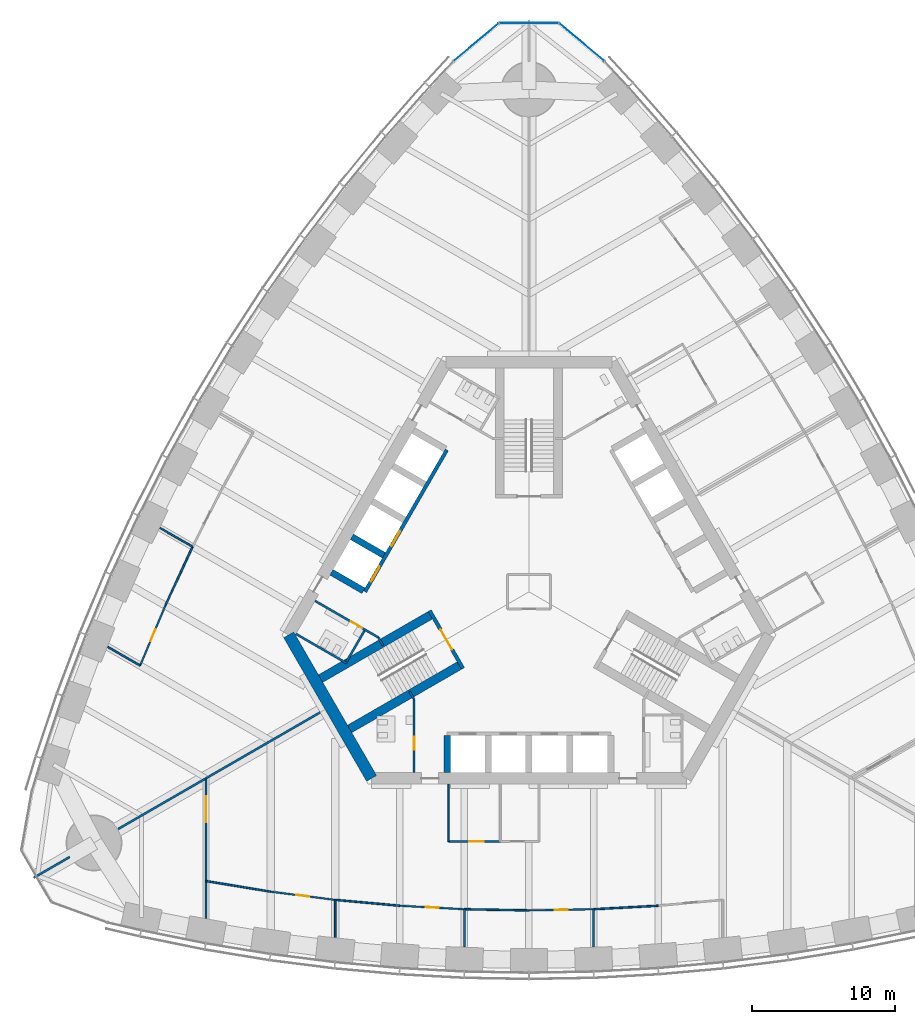
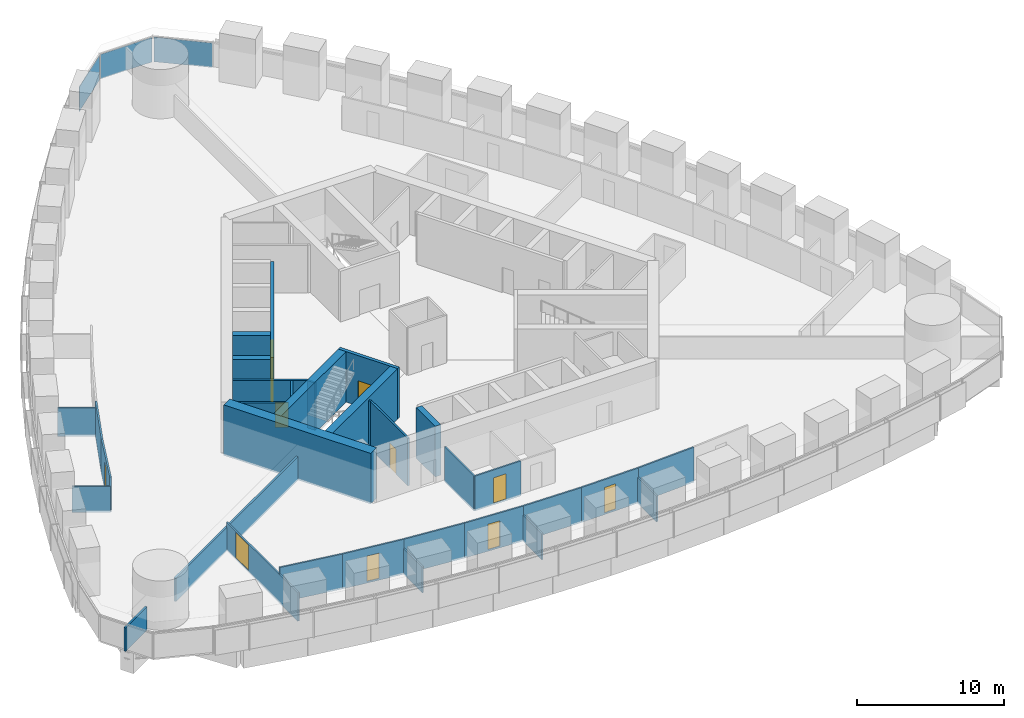
# One storey, part 10 of 18: 33 walls, 11 doors, 3 plates, 11 openings, 1 element without a shape of its own.
"""IFC4 building model written with IfcOpenShell, lengths in metres."""

from ifc_helpers import new_model, si_unit, direction, frame, frame_2d, origin, origin_2d, place, context, subcontext, project, spatial, rectangle, extrude, material, layer, layer_set, type_object, element, fill, aggregate, save


model = new_model("IFC4")

# Units and contexts
model_context = context("Model", 3, precision=1e-05, world=origin(), true_north=direction((0.0, 1.0)))
body_context = subcontext(model_context, "Body", "Model", "MODEL_VIEW")
ifc_project = project(units=[si_unit("LENGTHUNIT", "METRE"), si_unit("AREAUNIT", "SQUARE_METRE"), si_unit("VOLUMEUNIT", "CUBIC_METRE"), si_unit("PLANEANGLEUNIT", "RADIAN"), si_unit("MASSUNIT", "GRAM", prefix="KILO")], contexts=[model_context])

# Site, building, storey
site_placement = place(None, origin())
site = spatial("IfcSite", under=ifc_project, at=site_placement, CompositionType="ELEMENT")
building_placement = place(site_placement, origin())
building = spatial("IfcBuilding", under=site, at=building_placement, Name="Trefoil Bronze Tower", CompositionType="ELEMENT")
storey_placement = place(building_placement, frame((0.0, 0.0, 174.5)))
storey = spatial("IfcBuildingStorey", under=building, at=storey_placement, Name="L40", CompositionType="ELEMENT", Elevation=174.5)

# Curtain wall, plates
ifc_material_1 = material(Name="Tinted solar-control glass", Category="glass")
curtain_wall_type = type_object("IfcCurtainWallType", Name="Bronze rounded corner curtain wall", PredefinedType="USERDEFINED", material=ifc_material_1)
curtain_wall_placement = place(storey_placement, origin())
curtain_wall = element("IfcCurtainWall", 1, at=curtain_wall_placement, inside=storey, type_object=curtain_wall_type, Name="CW-B L40 K2", ObjectType="CURTAIN WALL", PredefinedType="USERDEFINED")
ifc_material_2 = material(Name="Tinted solar-control glass", Category="glass")
ifc_layer_1 = layer(ifc_material_2, 0.030029296875)
ifc_layer_set_1 = layer_set([ifc_layer_1], Name="Bronze rounded corner curtain wall glass panel")
plate_type = type_object("IfcPlateType", Name="Bronze rounded corner curtain wall glass panel", PredefinedType="CURTAIN_PANEL", material=ifc_layer_set_1)
plate_1_placement = place(storey_placement, frame((3.6884765625, 38.294921875, 0.0), z_axis=(0.0, 0.0, 1.0), x_axis=(-0.766044443119, 0.642787609687, 0.0)))
plate_1 = element("IfcPlate", 2, at=plate_1_placement, type_object=plate_type, Name="CW-B L40 K2 panel 1", PredefinedType="CURTAIN_PANEL", context=body_context, shape_type="SweptSolid", body=[
    extrude(rectangle(XDim=4.044189453125, YDim=0.030029296875, at=origin_2d()), origin(), (0.0, 0.0, 1.0), 2.050048828125),
])
plate_2_placement = place(storey_placement, frame((0.0, 39.637451171875, 0.0), z_axis=(0.0, 0.0, 1.0), x_axis=(-1.0, 0.0, 0.0)))
plate_2 = element("IfcPlate", 3, at=plate_2_placement, type_object=plate_type, Name="CW-B L40 K2 panel 2", PredefinedType="CURTAIN_PANEL", context=body_context, shape_type="SweptSolid", body=[
    extrude(rectangle(XDim=4.044189453125, YDim=0.030029296875, at=origin_2d()), origin(), (0.0, 0.0, 1.0), 2.050048828125),
])
plate_3_placement = place(storey_placement, frame((-3.6884765625, 38.294921875, 0.0), z_axis=(0.0, 0.0, 1.0), x_axis=(-0.766044443119, -0.642787609687, 0.0)))
plate_3 = element("IfcPlate", 4, at=plate_3_placement, type_object=plate_type, Name="CW-B L40 K2 panel 3", PredefinedType="CURTAIN_PANEL", context=body_context, shape_type="SweptSolid", body=[
    extrude(rectangle(XDim=4.044189453125, YDim=0.030029296875, at=origin_2d()), origin(), (0.0, 0.0, 1.0), 2.050048828125),
])
aggregate(curtain_wall, [plate_1, plate_2, plate_3])

# Wall
ifc_material_3 = material(Name="Concrete B80", Category="concrete")
ifc_layer_2 = layer(ifc_material_3, 0.800048828125)
ifc_layer_set_2 = layer_set([ifc_layer_2], Name="Core wall 800")
wall_type_1 = type_object("IfcWallType", Name="Core wall 800", PredefinedType="SHEAR", material=ifc_layer_set_2)
wall_1_placement = place(storey_placement, frame((-16.7431640625, -3.0, 0.0), z_axis=(0.0, 0.0, 1.0), x_axis=(0.499995765644, -0.866027848477, 0.0)))
element("IfcWall", 5, at=wall_1_placement, inside=storey, type_object=wall_type_1, Name="Core short wall 3 L40", PredefinedType="SHEAR", context=body_context, shape_type="SweptSolid", body=[
    extrude(rectangle(XDim=11.546875, YDim=0.800048828125, at=frame_2d((5.7734375, 0.0))), origin(), (0.0, 0.0, 1.0), 4.199951171875),
])

# Wall, opening, door
ifc_material_4 = material(Name="Glazed partition", Category="glass")
ifc_layer_3 = layer(ifc_material_4, 0.1201171875)
ifc_layer_set_3 = layer_set([ifc_layer_3], Name="Glazed partition 120")
wall_type_2 = type_object("IfcWallType", Name="Glazed partition 120", PredefinedType="PARTITIONING", material=ifc_layer_set_3)
wall_2_placement = place(storey_placement, frame((-5.60009765625, -17.39990234375, 0.0), z_axis=(0.0, 0.0, 1.0), x_axis=(1.0, 0.0, 0.0)))
wall_2 = element("IfcWall", 6, at=wall_2_placement, inside=storey, type_object=wall_type_2, Name="Partition F1 L40", PredefinedType="PARTITIONING", context=body_context, shape_type="SweptSolid", body=[
    extrude(rectangle(XDim=3.60009765625, YDim=0.1201171875, at=frame_2d((1.800048828125, 0.0))), origin(), (0.0, 0.0, 1.0), 2.89990234375),
])
opening_1_placement = place(wall_2_placement, frame((1.449951171875, 0.0, 0.14990234375)))
opening_1 = element("IfcOpeningElement", 7, at=opening_1_placement, cuts=wall_2, Name="Opening D9", PredefinedType="OPENING", context=body_context, shape_type="SweptSolid", body=[
    extrude(rectangle(XDim=1.0, YDim=2.10009765625, at=frame_2d((0.5, 1.050048828125))), frame((0.0, 0.070068359375, 0.0), z_axis=(0.0, -1.0, 0.0), x_axis=(1.0, 0.0, 0.0)), (0.0, 0.0, 1.0), 0.14013671875),
])
ifc_material_5 = material(Name="Glazed timber door", Category="wood")
door_type_1 = type_object("IfcDoorType", Name="Meeting room door 1000", OperationType="SINGLE_SWING_LEFT", PredefinedType="DOOR", material=ifc_material_5)
door_1_placement = place(opening_1_placement, origin())
door_1 = element("IfcDoor", 8, at=door_1_placement, inside=storey, type_object=door_type_1, Name="Meeting room door F1 L40", OperationType="SINGLE_SWING_RIGHT", OverallHeight=2.10009765625, OverallWidth=1.0, PredefinedType="DOOR", context=body_context, shape_type="SweptSolid", body=[
    extrude(rectangle(XDim=1.0, YDim=2.10009765625, at=frame_2d((0.5, 1.050048828125))), frame((0.0, 0.02490234375, 0.0), z_axis=(0.0, -1.0, 0.0), x_axis=(1.0, 0.0, 0.0)), (0.0, 0.0, 1.0), 0.050048828125),
])
fill(opening_1, door_1)

# Wall
wall_3_placement = place(storey_placement, frame((-5.60009765625, -13.39990234375, 0.0), z_axis=(0.0, 0.0, 1.0), x_axis=(0.0, -1.0, 0.0)))
element("IfcWall", 9, at=wall_3_placement, inside=storey, type_object=wall_type_2, Name="Partition F1 L40", PredefinedType="PARTITIONING", context=body_context, shape_type="SweptSolid", body=[
    extrude(rectangle(XDim=4.0, YDim=0.1201171875, at=frame_2d((2.0, 0.0))), origin(), (0.0, 0.0, 1.0), 2.89990234375),
])

# Wall, opening, door
wall_4_placement = place(storey_placement, frame((0.0, -22.19970703125, 0.0), z_axis=(0.0, 0.0, 1.0), x_axis=(0.999837820638, 0.018009231578, 0.0)))
wall_4 = element("IfcWall", 10, at=wall_4_placement, inside=storey, type_object=wall_type_2, Name="Partition F1 L40", PredefinedType="PARTITIONING", context=body_context, shape_type="SweptSolid", body=[
    extrude(rectangle(XDim=4.500732421875, YDim=0.1201171875, at=frame_2d((2.25048828125, 0.0))), origin(), (0.0, 0.0, 1.0), 2.89990234375),
])
opening_2_placement = place(wall_4_placement, frame((1.800048828125, 0.0, 0.14990234375)))
opening_2 = element("IfcOpeningElement", 11, at=opening_2_placement, cuts=wall_4, Name="Opening D8", PredefinedType="OPENING", context=body_context, shape_type="SweptSolid", body=[
    extrude(rectangle(XDim=0.89990234375, YDim=2.10009765625, at=frame_2d((0.449951171875, 1.050048828125))), frame((0.0, 0.070068359375, 0.0), z_axis=(0.0, -1.0, 0.0), x_axis=(1.0, 0.0, 0.0)), (0.0, 0.0, 1.0), 0.14013671875),
])
ifc_material_6 = material(Name="Timber door", Category="wood")
door_type_2 = type_object("IfcDoorType", Name="Office door 900", OperationType="SINGLE_SWING_LEFT", PredefinedType="DOOR", material=ifc_material_6)
door_2_placement = place(opening_2_placement, frame((0.89990234375, 0.0, 0.0), z_axis=(0.0, 0.0, 1.0), x_axis=(-1.0, 0.0, 0.0)))
door_2 = element("IfcDoor", 12, at=door_2_placement, inside=storey, type_object=door_type_2, Name="Executive office door F1 L40", OperationType="SINGLE_SWING_RIGHT", OverallHeight=2.10009765625, OverallWidth=0.89990234375, PredefinedType="DOOR", context=body_context, shape_type="SweptSolid", body=[
    extrude(rectangle(XDim=0.89990234375, YDim=2.10009765625, at=frame_2d((0.449951171875, 1.050048828125))), frame((0.0, 0.02490234375, 0.0), z_axis=(0.0, -1.0, 0.0), x_axis=(1.0, 0.0, 0.0)), (0.0, 0.0, 1.0), 0.050048828125),
])
fill(opening_2, door_2)

# Walls
wall_5_placement = place(storey_placement, frame((4.5, -22.11865234375, 0.0), z_axis=(0.0, 0.0, 1.0), x_axis=(0.998537376538, 0.054065771581, 0.0)))
element("IfcWall", 13, at=wall_5_placement, inside=storey, type_object=wall_type_2, Name="Partition F1 L40", PredefinedType="PARTITIONING", context=body_context, shape_type="SweptSolid", body=[
    extrude(rectangle(XDim=4.506591796875, YDim=0.1201171875, at=frame_2d((2.25341796875, 0.0))), origin(), (0.0, 0.0, 1.0), 2.89990234375),
])
wall_6_placement = place(storey_placement, frame((-13.5, -21.4677734375, 0.0), z_axis=(0.0, 0.0, 1.0), x_axis=(0.995930325215, -0.090126507295, 0.0)))
element("IfcWall", 14, at=wall_6_placement, inside=storey, type_object=wall_type_2, Name="Partition F1 L40", PredefinedType="PARTITIONING", context=body_context, shape_type="SweptSolid", body=[
    extrude(rectangle(XDim=4.518310546875, YDim=0.1201171875, at=frame_2d((2.25927734375, 0.0))), origin(), (0.0, 0.0, 1.0), 2.89990234375),
])

# Wall, opening, door
wall_7_placement = place(storey_placement, frame((-18.0, -20.8955078125, 0.0), z_axis=(0.0, 0.0, 1.0), x_axis=(0.992010652594, -0.12615413247, 0.0)))
wall_7 = element("IfcWall", 15, at=wall_7_placement, inside=storey, type_object=wall_type_2, Name="Partition F1 L40", PredefinedType="PARTITIONING", context=body_context, shape_type="SweptSolid", body=[
    extrude(rectangle(XDim=4.5361328125, YDim=0.1201171875, at=frame_2d((2.26806640625, 0.0))), origin(), (0.0, 0.0, 1.0), 2.89990234375),
])
opening_3_placement = place(wall_7_placement, frame((1.800048828125, 0.0, 0.14990234375)))
opening_3 = element("IfcOpeningElement", 16, at=opening_3_placement, cuts=wall_7, Name="Opening D8", PredefinedType="OPENING", context=body_context, shape_type="SweptSolid", body=[
    extrude(rectangle(XDim=0.89990234375, YDim=2.10009765625, at=frame_2d((0.449951171875, 1.050048828125))), frame((0.0, 0.070068359375, 0.0), z_axis=(0.0, -1.0, 0.0), x_axis=(1.0, 0.0, 0.0)), (0.0, 0.0, 1.0), 0.14013671875),
])
door_3_placement = place(opening_3_placement, frame((0.89990234375, 0.0, 0.0), z_axis=(0.0, 0.0, 1.0), x_axis=(-1.0, 0.0, 0.0)))
door_3 = element("IfcDoor", 17, at=door_3_placement, inside=storey, type_object=door_type_2, Name="Executive office door F1 L40", OperationType="SINGLE_SWING_RIGHT", OverallHeight=2.10009765625, OverallWidth=0.89990234375, PredefinedType="DOOR", context=body_context, shape_type="SweptSolid", body=[
    extrude(rectangle(XDim=0.89990234375, YDim=2.10009765625, at=frame_2d((0.449951171875, 1.050048828125))), frame((0.0, 0.02490234375, 0.0), z_axis=(0.0, -1.0, 0.0), x_axis=(1.0, 0.0, 0.0)), (0.0, 0.0, 1.0), 0.050048828125),
])
fill(opening_3, door_3)

# Walls
wall_8_placement = place(storey_placement, frame((-22.5, -20.156005859375, 0.0), z_axis=(0.0, 0.0, 1.0), x_axis=(0.986764681833, -0.162158757664, 0.0)))
element("IfcWall", 18, at=wall_8_placement, inside=storey, type_object=wall_type_2, Name="Partition F1 L40", PredefinedType="PARTITIONING", context=body_context, shape_type="SweptSolid", body=[
    extrude(rectangle(XDim=4.560302734375, YDim=0.1201171875, at=frame_2d((2.2802734375, 0.0))), origin(), (0.0, 0.0, 1.0), 2.89990234375),
])
wall_9_placement = place(storey_placement, frame((-4.5, -22.11865234375, 0.0), z_axis=(0.0, 0.0, 1.0), x_axis=(0.999837820638, -0.018009231578, 0.0)))
element("IfcWall", 19, at=wall_9_placement, inside=storey, type_object=wall_type_2, Name="Partition F1 L40", PredefinedType="PARTITIONING", context=body_context, shape_type="SweptSolid", body=[
    extrude(rectangle(XDim=4.500732421875, YDim=0.1201171875, at=frame_2d((2.25048828125, 0.0))), origin(), (0.0, 0.0, 1.0), 2.89990234375),
])

# Wall, opening, door
wall_10_placement = place(storey_placement, frame((-9.0, -21.875, 0.0), z_axis=(0.0, 0.0, 1.0), x_axis=(0.998537376538, -0.054065771581, 0.0)))
wall_10 = element("IfcWall", 20, at=wall_10_placement, inside=storey, type_object=wall_type_2, Name="Partition F1 L40", PredefinedType="PARTITIONING", context=body_context, shape_type="SweptSolid", body=[
    extrude(rectangle(XDim=4.506591796875, YDim=0.1201171875, at=frame_2d((2.25341796875, 0.0))), origin(), (0.0, 0.0, 1.0), 2.89990234375),
])
opening_4_placement = place(wall_10_placement, frame((1.800048828125, 0.0, 0.14990234375)))
opening_4 = element("IfcOpeningElement", 21, at=opening_4_placement, cuts=wall_10, Name="Opening D8", PredefinedType="OPENING", context=body_context, shape_type="SweptSolid", body=[
    extrude(rectangle(XDim=0.89990234375, YDim=2.10009765625, at=frame_2d((0.449951171875, 1.050048828125))), frame((0.0, 0.070068359375, 0.0), z_axis=(0.0, -1.0, 0.0), x_axis=(1.0, 0.0, 0.0)), (0.0, 0.0, 1.0), 0.14013671875),
])
door_4_placement = place(opening_4_placement, frame((0.89990234375, 0.0, 0.0), z_axis=(0.0, 0.0, 1.0), x_axis=(-1.0, 0.0, 0.0)))
door_4 = element("IfcDoor", 22, at=door_4_placement, inside=storey, type_object=door_type_2, Name="Executive office door F1 L40", OperationType="SINGLE_SWING_RIGHT", OverallHeight=2.10009765625, OverallWidth=0.89990234375, PredefinedType="DOOR", context=body_context, shape_type="SweptSolid", body=[
    extrude(rectangle(XDim=0.89990234375, YDim=2.10009765625, at=frame_2d((0.449951171875, 1.050048828125))), frame((0.0, 0.02490234375, 0.0), z_axis=(0.0, -1.0, 0.0), x_axis=(1.0, 0.0, 0.0)), (0.0, 0.0, 1.0), 0.050048828125),
])
fill(opening_4, door_4)

# Walls
wall_11_placement = place(storey_placement, frame((4.5, -22.11865234375, 0.0), z_axis=(0.0, 0.0, 1.0), x_axis=(0.0, -1.0, 0.0)))
element("IfcWall", 23, at=wall_11_placement, inside=storey, type_object=wall_type_2, Name="Partition F1 L40", PredefinedType="PARTITIONING", context=body_context, shape_type="SweptSolid", body=[
    extrude(rectangle(XDim=2.618896484375, YDim=0.1201171875, at=frame_2d((1.3095703125, 0.0))), origin(), (0.0, 0.0, 1.0), 2.14990234375),
])
wall_12_placement = place(storey_placement, frame((-13.5, -21.4677734375, 0.0), z_axis=(0.0, 0.0, 1.0), x_axis=(0.0, -1.0, 0.0)))
element("IfcWall", 24, at=wall_12_placement, inside=storey, type_object=wall_type_2, Name="Partition F1 L40", PredefinedType="PARTITIONING", context=body_context, shape_type="SweptSolid", body=[
    extrude(rectangle(XDim=2.6103515625, YDim=0.1201171875, at=frame_2d((1.30517578125, 0.0))), origin(), (0.0, 0.0, 1.0), 2.14990234375),
])

# Wall, opening, door
wall_13_placement = place(storey_placement, frame((-22.5, -13.051513671875, 0.0), z_axis=(0.0, 0.0, 1.0), x_axis=(0.0, -1.0, 0.0)))
wall_13 = element("IfcWall", 25, at=wall_13_placement, inside=storey, type_object=wall_type_2, Name="Partition F1 L40", PredefinedType="PARTITIONING", context=body_context, shape_type="SweptSolid", body=[
    extrude(rectangle(XDim=9.697509765625, YDim=0.1201171875, at=frame_2d((4.8486328125, 0.0))), origin(), (0.0, 0.0, 1.0), 2.35009765625),
])
opening_5_placement = place(wall_13_placement, frame((1.199951171875, 0.0, 0.14990234375)))
opening_5 = element("IfcOpeningElement", 26, at=opening_5_placement, cuts=wall_13, Name="Opening D10", PredefinedType="OPENING", context=body_context, shape_type="SweptSolid", body=[
    extrude(rectangle(XDim=1.800048828125, YDim=2.10009765625, at=frame_2d((0.89990234375, 1.050048828125))), frame((0.0, 0.070068359375, 0.0), z_axis=(0.0, -1.0, 0.0), x_axis=(1.0, 0.0, 0.0)), (0.0, 0.0, 1.0), 0.14013671875),
])
ifc_material_7 = material(Name="Timber door", Category="wood")
door_type_3 = type_object("IfcDoorType", Name="Double door 1800", OperationType="DOUBLE_DOOR_SINGLE_SWING", PredefinedType="DOOR", material=ifc_material_7)
door_5_placement = place(opening_5_placement, frame((1.800048828125, 0.0, 0.0), z_axis=(0.0, 0.0, 1.0), x_axis=(-1.0, 0.0, 0.0)))
door_5 = element("IfcDoor", 27, at=door_5_placement, inside=storey, type_object=door_type_3, Name="Dining room door F1 L40", OperationType="DOUBLE_DOOR_SINGLE_SWING", OverallHeight=2.10009765625, OverallWidth=1.800048828125, PredefinedType="DOOR", context=body_context, shape_type="SweptSolid", body=[
    extrude(rectangle(XDim=1.800048828125, YDim=2.10009765625, at=frame_2d((0.89990234375, 1.050048828125))), frame((0.0, 0.02490234375, 0.0), z_axis=(0.0, -1.0, 0.0), x_axis=(1.0, 0.0, 0.0)), (0.0, 0.0, 1.0), 0.050048828125),
])
fill(opening_5, door_5)

# Wall
wall_14_placement = place(storey_placement, frame((-4.5, -22.11865234375, 0.0), z_axis=(0.0, 0.0, 1.0), x_axis=(0.0, -1.0, 0.0)))
element("IfcWall", 28, at=wall_14_placement, inside=storey, type_object=wall_type_2, Name="Partition F1 L40", PredefinedType="PARTITIONING", context=body_context, shape_type="SweptSolid", body=[
    extrude(rectangle(XDim=2.618896484375, YDim=0.1201171875, at=frame_2d((1.3095703125, 0.0))), origin(), (0.0, 0.0, 1.0), 2.14990234375),
])

# Wall, opening, door
wall_15_placement = place(storey_placement, frame((-25.341552734375, -0.95751953125, 0.0), z_axis=(0.0, 0.0, 1.0), x_axis=(-0.386807881778, -0.922160323693, 0.0)))
wall_15 = element("IfcWall", 29, at=wall_15_placement, inside=storey, type_object=wall_type_2, Name="Partition F3 L40", PredefinedType="PARTITIONING", context=body_context, shape_type="SweptSolid", body=[
    extrude(rectangle(XDim=4.5361328125, YDim=0.1201171875, at=frame_2d((2.26806640625, 0.0))), origin(), (0.0, 0.0, 1.0), 2.89990234375),
])
opening_6_placement = place(wall_15_placement, frame((1.800048828125, 0.0, 0.14990234375)))
opening_6 = element("IfcOpeningElement", 30, at=opening_6_placement, cuts=wall_15, Name="Opening D8", PredefinedType="OPENING", context=body_context, shape_type="SweptSolid", body=[
    extrude(rectangle(XDim=0.89990234375, YDim=2.10009765625, at=frame_2d((0.449951171875, 1.050048828125))), frame((0.0, 0.070068359375, 0.0), z_axis=(0.0, -1.0, 0.0), x_axis=(1.0, 0.0, 0.0)), (0.0, 0.0, 1.0), 0.14013671875),
])
door_6_placement = place(opening_6_placement, frame((0.89990234375, 0.0, 0.0), z_axis=(0.0, 0.0, 1.0), x_axis=(-1.0, 0.0, 0.0)))
door_6 = element("IfcDoor", 31, at=door_6_placement, inside=storey, type_object=door_type_2, Name="Executive office door F3 L40", OperationType="SINGLE_SWING_RIGHT", OverallHeight=2.10009765625, OverallWidth=0.89990234375, PredefinedType="DOOR", context=body_context, shape_type="SweptSolid", body=[
    extrude(rectangle(XDim=0.89990234375, YDim=2.10009765625, at=frame_2d((0.449951171875, 1.050048828125))), frame((0.0, 0.02490234375, 0.0), z_axis=(0.0, -1.0, 0.0), x_axis=(1.0, 0.0, 0.0)), (0.0, 0.0, 1.0), 0.050048828125),
])
fill(opening_6, door_6)

# Walls
wall_16_placement = place(storey_placement, frame((-23.4443359375, 3.143310546875, 0.0), z_axis=(0.0, 0.0, 1.0), x_axis=(-0.419883773418, -0.907577884713, 0.0)))
element("IfcWall", 32, at=wall_16_placement, inside=storey, type_object=wall_type_2, Name="Partition F3 L40", PredefinedType="PARTITIONING", context=body_context, shape_type="SweptSolid", body=[
    extrude(rectangle(XDim=4.5185546875, YDim=0.1201171875, at=frame_2d((2.25927734375, 0.0))), origin(), (0.0, 0.0, 1.0), 2.89990234375),
])
wall_17_placement = place(storey_placement, frame((-27.09619140625, -5.140625, 0.0), z_axis=(0.0, 0.0, 1.0), x_axis=(-0.866012205188, 0.500022859943, 0.0)))
element("IfcWall", 33, at=wall_17_placement, inside=storey, type_object=wall_type_2, Name="Partition F3 L40", PredefinedType="PARTITIONING", context=body_context, shape_type="SweptSolid", body=[
    extrude(rectangle(XDim=2.60302734375, YDim=0.1201171875, at=frame_2d((1.301513671875, 0.0))), origin(), (0.0, 0.0, 1.0), 2.14990234375),
])
wall_18_placement = place(storey_placement, frame((-23.4443359375, 3.143310546875, 0.0), z_axis=(0.0, 0.0, 1.0), x_axis=(-0.866011491631, 0.500024095782, 0.0)))
element("IfcWall", 34, at=wall_18_placement, inside=storey, type_object=wall_type_2, Name="Partition F3 L40", PredefinedType="PARTITIONING", context=body_context, shape_type="SweptSolid", body=[
    extrude(rectangle(XDim=2.615478515625, YDim=0.1201171875, at=frame_2d((1.3076171875, 0.0))), origin(), (0.0, 0.0, 1.0), 2.35009765625),
])
ifc_material_8 = material(Name="Concrete B80", Category="concrete")
ifc_layer_4 = layer(ifc_material_8, 0.449951171875)
ifc_layer_set_4 = layer_set([ifc_layer_4], Name="Outrigger shaft wall 450")
wall_type_3 = type_object("IfcWallType", Name="Outrigger shaft wall 450", PredefinedType="SHEAR", material=ifc_layer_set_4)
wall_19_placement = place(storey_placement, frame((-5.699951171875, -10.02490234375, 0.0), z_axis=(0.0, 0.0, 1.0), x_axis=(0.0, -1.0, 0.0)))
element("IfcWall", 35, at=wall_19_placement, inside=storey, type_object=wall_type_3, Name="Lift shaft side wall A0 L40", PredefinedType="SHEAR", context=body_context, shape_type="SweptSolid", body=[
    extrude(rectangle(XDim=2.5751953125, YDim=0.449951171875, at=frame_2d((1.28759765625, 0.0))), origin(), (0.0, 0.0, 1.0), 4.199951171875),
])
for number, where, z_axis, x_axis, name in (
    (36, (-10.10693359375, 2.54443359375, 0.0), (0.0, 0.0, 1.0), (-0.866046643894, 0.499963209246, 0.0), "Lift shaft side wall C3 L40"),
    (37, (-11.531982421875, 0.076171875, 0.0), (0.0, 0.0, 1.0), (-0.866005588531, 0.500034319456, 0.0), "Lift shaft side wall C4 L40"),
):
    element("IfcWall", number, at=place(storey_placement, frame(where, z_axis=z_axis, x_axis=x_axis)), inside=storey, type_object=wall_type_3, Name=name, PredefinedType="SHEAR", context=body_context, shape_type="SweptSolid", body=[
        extrude(rectangle(XDim=2.574951171875, YDim=0.449951171875, at=frame_2d((1.28759765625, 0.0))), origin(), (0.0, 0.0, 1.0), 4.199951171875),
    ])

# Wall, opening, door
ifc_material_9 = material(Name="Gypsum board on steel studs", Category="steel")
ifc_layer_5 = layer(ifc_material_9, 0.14990234375)
ifc_layer_set_5 = layer_set([ifc_layer_5], Name="Partition 150")
wall_type_4 = type_object("IfcWallType", Name="Partition 150", PredefinedType="PARTITIONING", material=ifc_layer_set_5)
wall_20_placement = place(storey_placement, frame((-8.0, -7.5, 0.0), z_axis=(0.0, 0.0, 1.0), x_axis=(0.0, -1.0, 0.0)))
wall_20 = element("IfcWall", 38, at=wall_20_placement, inside=storey, type_object=wall_type_4, Name="Passage wall F1- L40", PredefinedType="PARTITIONING", context=body_context, shape_type="SweptSolid", body=[
    extrude(rectangle(XDim=5.10009765625, YDim=0.14990234375, at=frame_2d((2.550048828125, 0.0))), origin(), (0.0, 0.0, 1.0), 3.949951171875),
])
opening_7_placement = place(wall_20_placement, frame((2.60009765625, 0.0, 0.0)))
opening_7 = element("IfcOpeningElement", 39, at=opening_7_placement, cuts=wall_20, Name="Opening D3", PredefinedType="OPENING", context=body_context, shape_type="SweptSolid", body=[
    extrude(rectangle(XDim=0.89990234375, YDim=2.10009765625, at=frame_2d((0.449951171875, 1.050048828125))), frame((0.0, 0.0849609375, 0.0), z_axis=(0.0, -1.0, 0.0), x_axis=(1.0, 0.0, 0.0)), (0.0, 0.0, 1.0), 0.169921875),
])
ifc_material_10 = material(Name="Timber door", Category="wood")
door_type_4 = type_object("IfcDoorType", Name="WC door 900", OperationType="SINGLE_SWING_LEFT", PredefinedType="DOOR", material=ifc_material_10)
door_7_placement = place(opening_7_placement, frame((0.89990234375, 0.0, 0.0), z_axis=(0.0, 0.0, 1.0), x_axis=(-1.0, 0.0, 0.0)))
door_7 = element("IfcDoor", 40, at=door_7_placement, inside=storey, type_object=door_type_4, Name="WC (women) door L40", OperationType="SINGLE_SWING_LEFT", OverallHeight=2.10009765625, OverallWidth=0.89990234375, PredefinedType="DOOR", context=body_context, shape_type="SweptSolid", body=[
    extrude(rectangle(XDim=0.89990234375, YDim=2.10009765625, at=frame_2d((0.449951171875, 1.050048828125))), frame((0.0, 0.02490234375, 0.0), z_axis=(0.0, -1.0, 0.0), x_axis=(1.0, 0.0, 0.0)), (0.0, 0.0, 1.0), 0.050048828125),
])
fill(opening_7, door_7)

wall_21_placement = place(storey_placement, frame((-10.4951171875, -3.17822265625, 0.0), z_axis=(0.0, 0.0, 1.0), x_axis=(-0.86602216432, 0.500005610874, 0.0)))
wall_21 = element("IfcWall", 41, at=wall_21_placement, inside=storey, type_object=wall_type_4, Name="Passage wall F3+ L40", PredefinedType="PARTITIONING", context=body_context, shape_type="SweptSolid", body=[
    extrude(rectangle(XDim=5.10009765625, YDim=0.14990234375, at=frame_2d((2.550048828125, 0.0))), origin(), (0.0, 0.0, 1.0), 3.949951171875),
])
opening_8_placement = place(wall_21_placement, frame((1.300048828125, 0.0, 0.0)))
opening_8 = element("IfcOpeningElement", 42, at=opening_8_placement, cuts=wall_21, Name="Opening D3", PredefinedType="OPENING", context=body_context, shape_type="SweptSolid", body=[
    extrude(rectangle(XDim=0.89990234375, YDim=2.10009765625, at=frame_2d((0.449951171875, 1.050048828125))), frame((0.0, 0.0849609375, 0.0), z_axis=(0.0, -1.0, 0.0), x_axis=(1.0, 0.0, 0.0)), (0.0, 0.0, 1.0), 0.169921875),
])
door_8_placement = place(opening_8_placement, origin())
door_8 = element("IfcDoor", 43, at=door_8_placement, inside=storey, type_object=door_type_4, Name="WC (men) door L40", OperationType="SINGLE_SWING_LEFT", OverallHeight=2.10009765625, OverallWidth=0.89990234375, PredefinedType="DOOR", context=body_context, shape_type="SweptSolid", body=[
    extrude(rectangle(XDim=0.89990234375, YDim=2.10009765625, at=frame_2d((0.449951171875, 1.050048828125))), frame((0.0, 0.02490234375, 0.0), z_axis=(0.0, -1.0, 0.0), x_axis=(1.0, 0.0, 0.0)), (0.0, 0.0, 1.0), 0.050048828125),
])
fill(opening_8, door_8)

# Walls
for number, where, z_axis, x_axis, name in (
    (44, (-10.4951171875, -3.17822265625, 0.0), (0.0, 0.0, 1.0), (0.499842556608, -0.866116284689, 0.0), "WC wall ST3-1 L40"),
    (45, (-8.0, -7.5, 0.0), (0.0, 0.0, 1.0), (-0.499842556608, 0.866116284689, 0.0), "WC wall ST3+1 L40"),
):
    element("IfcWall", number, at=place(storey_placement, frame(where, z_axis=z_axis, x_axis=x_axis)), inside=storey, type_object=wall_type_4, Name=name, PredefinedType="PARTITIONING", context=body_context, shape_type="SweptSolid", body=[
        extrude(rectangle(XDim=0.645263671875, YDim=0.14990234375, at=frame_2d((0.32275390625, 0.0))), origin(), (0.0, 0.0, 1.0), 3.949951171875),
    ])
wall_22_placement = place(storey_placement, frame((-12.691162109375, -4.98193359375, 0.0), z_axis=(0.0, 0.0, 1.0), x_axis=(-0.8660249478, 0.500000789788, 0.0)))
element("IfcWall", 46, at=wall_22_placement, inside=storey, type_object=wall_type_4, Name="WC partition WC (men) L40", PredefinedType="PARTITIONING", context=body_context, shape_type="SweptSolid", body=[
    extrude(rectangle(XDim=4.10009765625, YDim=0.14990234375, at=frame_2d((2.050048828125, 0.0))), origin(), (0.0, 0.0, 1.0), 3.949951171875),
])
wall_23_placement = place(storey_placement, frame((-11.463623046875, -2.70556640625, 0.0), z_axis=(0.0, 0.0, 1.0), x_axis=(-0.50001992892, -0.866013897511, 0.0)))
element("IfcWall", 47, at=wall_23_placement, inside=storey, type_object=wall_type_4, Name="WC partition WC (men) L40", PredefinedType="PARTITIONING", context=body_context, shape_type="SweptSolid", body=[
    extrude(rectangle(XDim=2.51025390625, YDim=0.14990234375, at=frame_2d((1.255126953125, 0.0))), origin(), (0.0, 0.0, 1.0), 3.949951171875),
])
ifc_material_11 = material(Name="Gypsum board on steel studs", Category="steel")
ifc_layer_6 = layer(ifc_material_11, 0.14990234375)
ifc_layer_set_6 = layer_set([ifc_layer_6], Name="Party wall 150")
wall_type_5 = type_object("IfcWallType", Name="Party wall 150", PredefinedType="PARTITIONING", material=ifc_layer_set_6)
wall_24_placement = place(storey_placement, frame((-14.202880859375, -8.199951171875, 0.0), z_axis=(0.0, 0.0, 1.0), x_axis=(-0.866024668836, -0.500001272966, 0.0)))
element("IfcWall", 48, at=wall_24_placement, inside=storey, type_object=wall_type_5, Name="Party wall K3 L40", PredefinedType="PARTITIONING", context=body_context, shape_type="SweptSolid", body=[
    extrude(rectangle(XDim=16.64990234375, YDim=0.14990234375, at=frame_2d((8.324951171875, 0.0))), origin(), (0.0, 0.0, 1.0), 1.949951171875),
])
wall_25_placement = place(storey_placement, frame((-31.999755859375, -18.47509765625, 0.0), z_axis=(0.0, 0.0, 1.0), x_axis=(-0.866042548026, -0.499970304126, 0.0)))
element("IfcWall", 49, at=wall_25_placement, inside=storey, type_object=wall_type_5, Name="Party wall K3 L40", PredefinedType="PARTITIONING", context=body_context, shape_type="SweptSolid", body=[
    extrude(rectangle(XDim=2.899169921875, YDim=0.14990234375, at=frame_2d((1.44970703125, 0.0))), origin(), (0.0, 0.0, 1.0), 1.949951171875),
])

# Wall, openings, doors
ifc_material_12 = material(Name="Concrete B80", Category="concrete")
ifc_layer_7 = layer(ifc_material_12, 0.25)
ifc_layer_set_7 = layer_set([ifc_layer_7], Name="Shaft wall 250")
wall_type_6 = type_object("IfcWallType", Name="Shaft wall 250", PredefinedType="SHEAR", material=ifc_layer_set_7)
wall_26_placement = place(storey_placement, frame((-5.7236328125, 9.88623046875, 0.0), z_axis=(0.0, 0.0, 1.0), x_axis=(-0.500001763848, -0.866024385424, 0.0)))
wall_26 = element("IfcWall", 50, at=wall_26_placement, inside=storey, type_object=wall_type_6, Name="Lift shaft front wall C L40", PredefinedType="SHEAR", context=body_context, shape_type="SweptSolid", body=[
    extrude(rectangle(XDim=11.39990234375, YDim=0.25, at=frame_2d((5.699951171875, 0.0))), origin(), (0.0, 0.0, 1.0), 4.199951171875),
])
opening_9_placement = place(wall_26_placement, frame((6.52490234375, 0.0, 0.0)))
opening_9 = element("IfcOpeningElement", 51, at=opening_9_placement, cuts=wall_26, Name="Opening LD-FL1", PredefinedType="OPENING", context=body_context, shape_type="SweptSolid", body=[
    extrude(rectangle(XDim=1.199951171875, YDim=2.199951171875, at=frame_2d((0.60009765625, 1.10009765625))), frame((0.0, 0.135009765625, 0.0), z_axis=(0.0, -1.0, 0.0), x_axis=(1.0, 0.0, 0.0)), (0.0, 0.0, 1.0), 0.27001953125),
])
opening_10_placement = place(wall_26_placement, frame((9.375, 0.0, 0.0)))
opening_10 = element("IfcOpeningElement", 52, at=opening_10_placement, cuts=wall_26, Name="Opening LD-FL2", PredefinedType="OPENING", context=body_context, shape_type="SweptSolid", body=[
    extrude(rectangle(XDim=1.199951171875, YDim=2.199951171875, at=frame_2d((0.60009765625, 1.10009765625))), frame((0.0, 0.135009765625, 0.0), z_axis=(0.0, -1.0, 0.0), x_axis=(1.0, 0.0, 0.0)), (0.0, 0.0, 1.0), 0.27001953125),
])
ifc_material_13 = material(Name="Steel door", Category="steel")
door_type_5 = type_object("IfcDoorType", Name="Lift landing door 1200", OperationType="DOUBLE_DOOR_SLIDING", PredefinedType="DOOR", material=ifc_material_13)
door_9_placement = place(opening_9_placement, origin())
door_9 = element("IfcDoor", 53, at=door_9_placement, inside=storey, type_object=door_type_5, Name="Lift FL1 landing door L40", OperationType="DOUBLE_DOOR_SLIDING", OverallHeight=2.199951171875, OverallWidth=1.199951171875, PredefinedType="DOOR", context=body_context, shape_type="SweptSolid", body=[
    extrude(rectangle(XDim=1.199951171875, YDim=2.199951171875, at=frame_2d((0.60009765625, 1.10009765625))), frame((0.0, 0.02490234375, 0.0), z_axis=(0.0, -1.0, 0.0), x_axis=(1.0, 0.0, 0.0)), (0.0, 0.0, 1.0), 0.050048828125),
])
fill(opening_9, door_9)
door_10_placement = place(opening_10_placement, origin())
door_10 = element("IfcDoor", 54, at=door_10_placement, inside=storey, type_object=door_type_5, Name="Lift FL2 landing door L40", OperationType="DOUBLE_DOOR_SLIDING", OverallHeight=2.199951171875, OverallWidth=1.199951171875, PredefinedType="DOOR", context=body_context, shape_type="SweptSolid", body=[
    extrude(rectangle(XDim=1.199951171875, YDim=2.199951171875, at=frame_2d((0.60009765625, 1.10009765625))), frame((0.0, 0.02490234375, 0.0), z_axis=(0.0, -1.0, 0.0), x_axis=(1.0, 0.0, 0.0)), (0.0, 0.0, 1.0), 0.050048828125),
])
fill(opening_10, door_10)

# Wall, opening, door
wall_27_placement = place(storey_placement, frame((-6.921630859375, -1.3115234375, 0.0), z_axis=(0.0, 0.0, 1.0), x_axis=(0.499984536904, -0.866034331223, 0.0)))
wall_27 = element("IfcWall", 55, at=wall_27_placement, inside=storey, type_object=wall_type_6, Name="Stair end wall ST3 L40", PredefinedType="SHEAR", context=body_context, shape_type="SweptSolid", body=[
    extrude(rectangle(XDim=4.650146484375, YDim=0.25, at=frame_2d((2.3251953125, 0.0))), origin(), (0.0, 0.0, 1.0), 4.199951171875),
])
opening_11_placement = place(wall_27_placement, frame((1.52490234375, 0.0, 0.0)))
opening_11 = element("IfcOpeningElement", 56, at=opening_11_placement, cuts=wall_27, Name="Opening D1", PredefinedType="OPENING", context=body_context, shape_type="SweptSolid", body=[
    extrude(rectangle(XDim=1.60009765625, YDim=2.10009765625, at=frame_2d((0.800048828125, 1.050048828125))), frame((0.0, 0.135009765625, 0.0), z_axis=(0.0, -1.0, 0.0), x_axis=(1.0, 0.0, 0.0)), (0.0, 0.0, 1.0), 0.27001953125),
])
ifc_material_14 = material(Name="Steel door", Category="steel")
door_type_6 = type_object("IfcDoorType", Name="Stair door 1600", OperationType="DOUBLE_DOOR_SINGLE_SWING", PredefinedType="DOOR", material=ifc_material_14)
door_11_placement = place(opening_11_placement, frame((1.60009765625, 0.0, 0.0), z_axis=(0.0, 0.0, 1.0), x_axis=(-1.0, 0.0, 0.0)))
door_11 = element("IfcDoor", 57, at=door_11_placement, inside=storey, type_object=door_type_6, Name="Stair door ST3 L40", OperationType="DOUBLE_DOOR_SINGLE_SWING", OverallHeight=2.10009765625, OverallWidth=1.60009765625, PredefinedType="DOOR", context=body_context, shape_type="SweptSolid", body=[
    extrude(rectangle(XDim=1.60009765625, YDim=2.10009765625, at=frame_2d((0.800048828125, 1.050048828125))), frame((0.0, 0.02490234375, 0.0), z_axis=(0.0, -1.0, 0.0), x_axis=(1.0, 0.0, 0.0)), (0.0, 0.0, 1.0), 0.050048828125),
])
fill(opening_11, door_11)

# Walls
ifc_material_15 = material(Name="Concrete B80", Category="concrete")
ifc_layer_8 = layer(ifc_material_15, 0.60009765625)
ifc_layer_set_8 = layer_set([ifc_layer_8], Name="Stair wall 600")
wall_type_7 = type_object("IfcWallType", Name="Stair wall 600", PredefinedType="SHEAR", material=ifc_layer_set_8)
for number, where, z_axis, x_axis, name in (
    (58, (-6.663330078125, -1.5087890625, 0.0), (0.0, 0.0, 1.0), (-0.866019375473, -0.500010441196, 0.0), "Stair wall ST3 L40"),
    (59, (-4.638427734375, -5.01611328125, 0.0), (0.0, 0.0, 1.0), (-0.866019375473, -0.500010441196, 0.0), "Stair wall ST3 L40"),
):
    element("IfcWall", number, at=place(storey_placement, frame(where, z_axis=z_axis, x_axis=x_axis)), inside=storey, type_object=wall_type_7, Name=name, PredefinedType="SHEAR", context=body_context, shape_type="SweptSolid", body=[
        extrude(rectangle(XDim=9.074951171875, YDim=0.60009765625, at=frame_2d((4.53759765625, 0.0))), origin(), (0.0, 0.0, 1.0), 4.199951171875),
    ])

save(model, "model.ifc")
